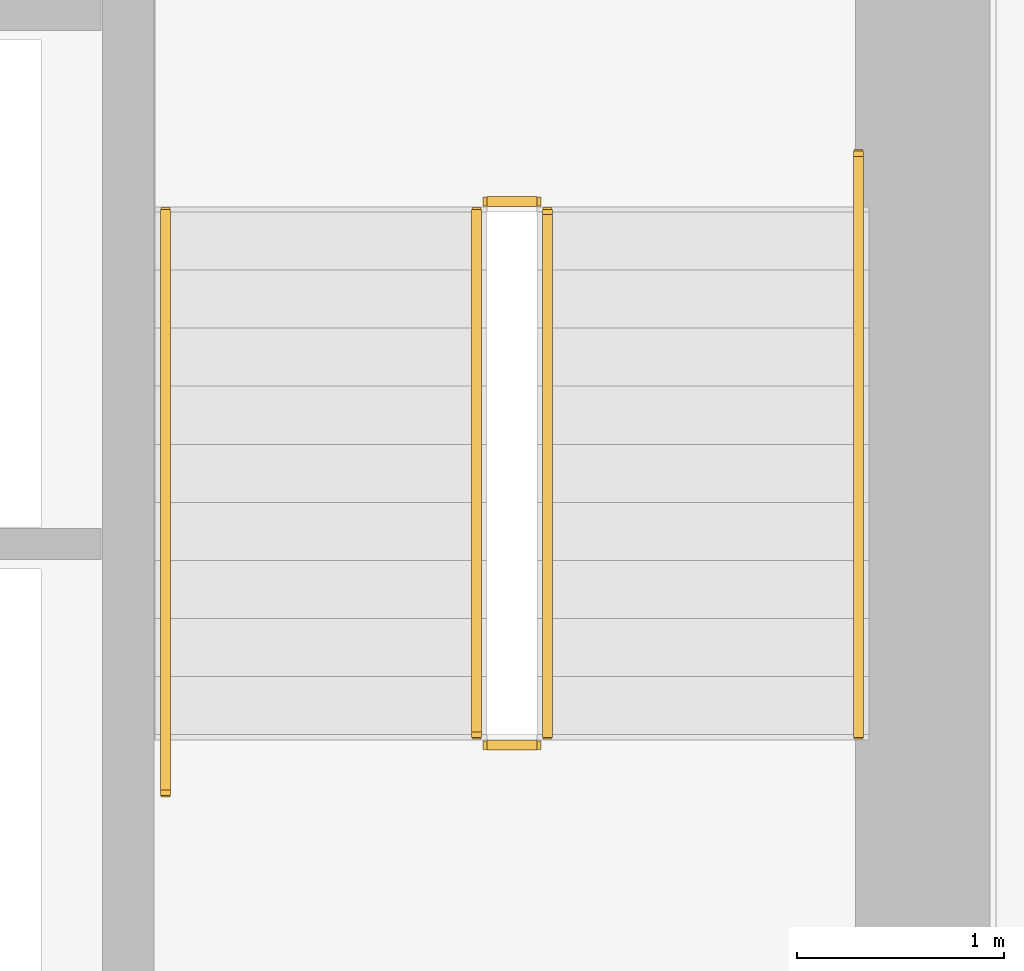
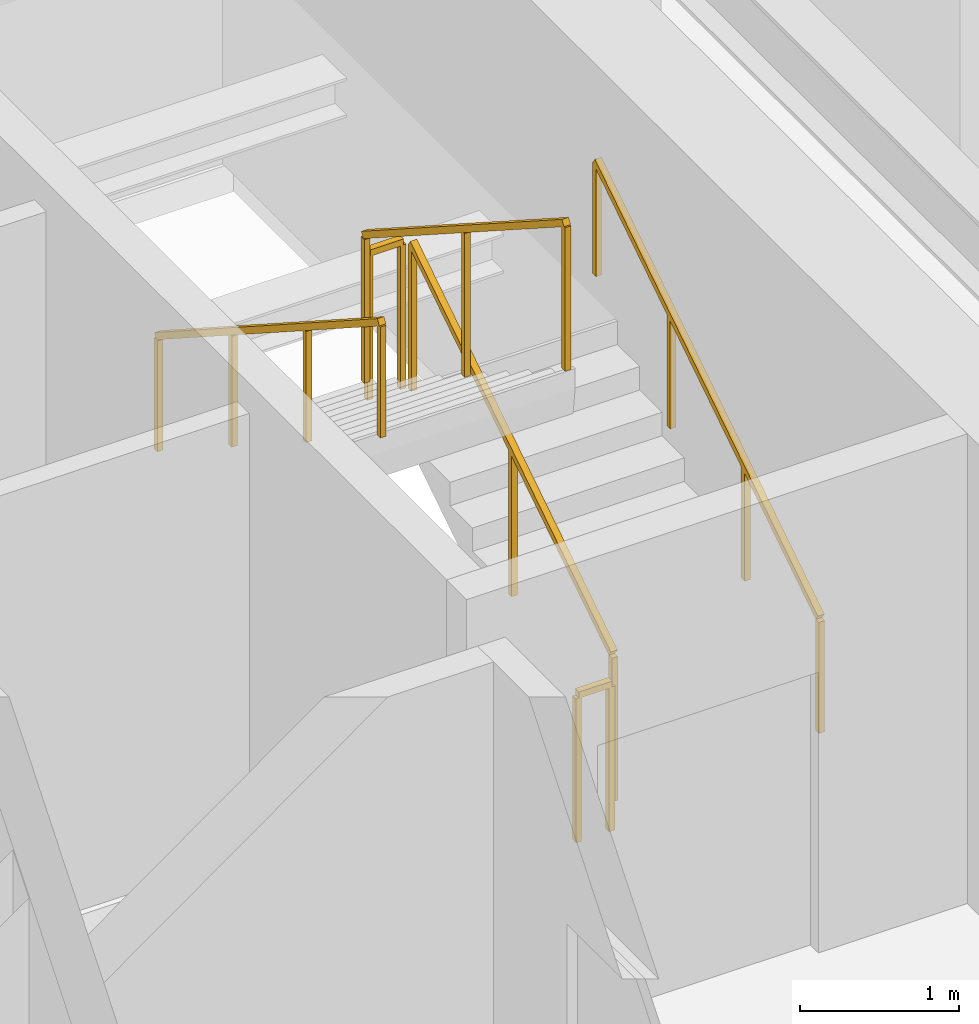
# One storey, part 27 of 28: 6 railings.
"""IFC4 building model written with IfcOpenShell, lengths in metres."""

from ifc_helpers import new_model, si_unit, direction, frame, origin, origin_2d, place, context, subcontext, project, spatial, rectangle, extrude, material, type_object, element, save


model = new_model("IFC4")

# Units and contexts
model_context = context("Model", 3, precision=1e-05, world=origin(), true_north=direction((0.0, 1.0)))
body_context = subcontext(model_context, "Body", "Model", "MODEL_VIEW")
ifc_project = project(units=[si_unit("LENGTHUNIT", "METRE"), si_unit("AREAUNIT", "SQUARE_METRE"), si_unit("VOLUMEUNIT", "CUBIC_METRE"), si_unit("PLANEANGLEUNIT", "RADIAN"), si_unit("MASSUNIT", "GRAM", prefix="KILO")], contexts=[model_context])

# Site, building, storey
site_placement = place(None, origin())
site = spatial("IfcSite", under=ifc_project, at=site_placement, CompositionType="ELEMENT")
building_placement = place(site_placement, origin())
building = spatial("IfcBuilding", under=site, at=building_placement, Name="Sumidabori Civic Tower", CompositionType="ELEMENT")
storey_placement = place(building_placement, frame((0.0, 0.0, 171.199951171875)))
storey = spatial("IfcBuildingStorey", under=building, at=storey_placement, Name="L44", CompositionType="ELEMENT", Elevation=171.199951171875)

# Railings
ifc_material_1 = material(Name="Stainless Steel Hairline Finish", Category="steel")
railing_type_1 = type_object("IfcRailingType", Name="RL-HANDRAIL", PredefinedType="HANDRAIL", material=ifc_material_1)
railing_1_placement = place(storey_placement, frame((15.2900390625, 16.0, 0.179931640625)))
element("IfcRailing", 1, at=railing_1_placement, inside=storey, type_object=railing_type_1, Name="L44 ST-2 stair handrail 1", PredefinedType="HANDRAIL", context=body_context, shape_type="SweptSolid", body=[
    extrude(rectangle(XDim=0.048095703125, YDim=0.048095703125, at=origin_2d()), frame((0.0, 0.0, 0.8759765625), z_axis=(0.0, 0.84064222762, 0.54159084662), x_axis=(-1.0, 0.0, 0.0)), (0.0, 0.0, 1.0), 3.330810546875),
    extrude(rectangle(XDim=0.0419921875, YDim=0.0419921875, at=origin_2d()), origin(), (0.0, 0.0, 1.0), 0.851806640625),
    extrude(rectangle(XDim=0.0419921875, YDim=0.0419921875, at=origin_2d()), frame((0.0, 0.933349609375, 0.601318359375)), (0.0, 0.0, 1.0), 0.851806640625),
    extrude(rectangle(XDim=0.0419921875, YDim=0.0419921875, at=origin_2d()), frame((0.0, 1.86669921875, 1.20263671875)), (0.0, 0.0, 1.0), 0.851806640625),
    extrude(rectangle(XDim=0.0419921875, YDim=0.0419921875, at=origin_2d()), frame((0.0, 2.800048828125, 1.803955078125)), (0.0, 0.0, 1.0), 0.851806640625),
])
railing_2_placement = place(storey_placement, frame((11.949951171875, 18.52001953125, 1.97998046875)))
element("IfcRailing", 2, at=railing_2_placement, inside=storey, type_object=railing_type_1, Name="L44 ST-2 stair handrail 2", PredefinedType="HANDRAIL", context=body_context, shape_type="SweptSolid", body=[
    extrude(rectangle(XDim=0.048095703125, YDim=0.048095703125, at=origin_2d()), frame((0.0, 0.0, 0.8759765625), z_axis=(0.0, -0.84064222762, 0.54159084662), x_axis=(1.0, 0.0, 0.0)), (0.0, 0.0, 1.0), 3.330810546875),
    extrude(rectangle(XDim=0.0419921875, YDim=0.0419921875, at=origin_2d()), origin(), (0.0, 0.0, 1.0), 0.851806640625),
    extrude(rectangle(XDim=0.0419921875, YDim=0.0419921875, at=origin_2d()), frame((0.0, -0.933349609375, 0.601318359375)), (0.0, 0.0, 1.0), 0.851806640625),
    extrude(rectangle(XDim=0.0419921875, YDim=0.0419921875, at=origin_2d()), frame((0.0, -1.86669921875, 1.20263671875)), (0.0, 0.0, 1.0), 0.851806640625),
    extrude(rectangle(XDim=0.0419921875, YDim=0.0419921875, at=origin_2d()), frame((0.0, -2.800048828125, 1.803955078125)), (0.0, 0.0, 1.0), 0.851806640625),
])
ifc_material_2 = material(Name="Steel SN490", Category="steel")
railing_type_2 = type_object("IfcRailingType", Name="RL-STAIR-GUARD", PredefinedType="GUARDRAIL", material=ifc_material_2)
railing_3_placement = place(storey_placement, frame((13.7900390625, 16.0, 0.179931640625)))
element("IfcRailing", 3, at=railing_3_placement, inside=storey, type_object=railing_type_2, Name="L44 ST-2 stair guard 1", PredefinedType="GUARDRAIL", context=body_context, shape_type="SweptSolid", body=[
    extrude(rectangle(XDim=0.048095703125, YDim=0.048095703125, at=origin_2d()), frame((0.0, 0.0, 1.1259765625), z_axis=(0.0, 0.841162588446, 0.540782303519), x_axis=(-1.0, 0.0, 0.0)), (0.0, 0.0, 1.0), 2.995849609375),
    extrude(rectangle(XDim=0.0419921875, YDim=0.0419921875, at=origin_2d()), origin(), (0.0, 0.0, 1.0), 1.101806640625),
    extrude(rectangle(XDim=0.0419921875, YDim=0.0419921875, at=origin_2d()), frame((0.0, 1.260009765625, 0.81005859375)), (0.0, 0.0, 1.0), 1.101806640625),
    extrude(rectangle(XDim=0.0419921875, YDim=0.0419921875, at=origin_2d()), frame((0.0, 2.52001953125, 1.6201171875)), (0.0, 0.0, 1.0), 1.101806640625),
])
railing_4_placement = place(storey_placement, frame((13.739990234375, 18.570068359375, 1.800048828125)))
element("IfcRailing", 4, at=railing_4_placement, inside=storey, type_object=railing_type_2, Name="L44 ST-2 stair guard 2", PredefinedType="GUARDRAIL", context=body_context, shape_type="SweptSolid", body=[
    extrude(rectangle(XDim=0.048095703125, YDim=0.048095703125, at=origin_2d()), frame((0.0, 0.0, 1.1259765625), z_axis=(-1.0, 0.0, 0.0), x_axis=(0.0, -1.0, 0.0)), (0.0, 0.0, 1.0), 0.239990234375),
    extrude(rectangle(XDim=0.0419921875, YDim=0.0419921875, at=origin_2d()), origin(), (0.0, 0.0, 1.0), 1.101806640625),
    extrude(rectangle(XDim=0.0419921875, YDim=0.0419921875, at=origin_2d()), frame((-0.239990234375, 0.0, 0.0)), (0.0, 0.0, 1.0), 1.101806640625),
])
railing_5_placement = place(storey_placement, frame((13.449951171875, 18.52001953125, 1.97998046875)))
element("IfcRailing", 5, at=railing_5_placement, inside=storey, type_object=railing_type_2, Name="L44 ST-2 stair guard 3", PredefinedType="GUARDRAIL", context=body_context, shape_type="SweptSolid", body=[
    extrude(rectangle(XDim=0.048095703125, YDim=0.048095703125, at=origin_2d()), frame((0.0, 0.0, 1.1259765625), z_axis=(0.0, -0.841162588446, 0.540782303519), x_axis=(1.0, 0.0, 0.0)), (0.0, 0.0, 1.0), 2.995849609375),
    extrude(rectangle(XDim=0.0419921875, YDim=0.0419921875, at=origin_2d()), origin(), (0.0, 0.0, 1.0), 1.101806640625),
    extrude(rectangle(XDim=0.0419921875, YDim=0.0419921875, at=origin_2d()), frame((0.0, -1.260009765625, 0.81005859375)), (0.0, 0.0, 1.0), 1.101806640625),
    extrude(rectangle(XDim=0.0419921875, YDim=0.0419921875, at=origin_2d()), frame((0.0, -2.52001953125, 1.6201171875)), (0.0, 0.0, 1.0), 1.101806640625),
])
railing_6_placement = place(storey_placement, frame((13.739990234375, 15.949951171875, 0.0)))
element("IfcRailing", 6, at=railing_6_placement, inside=storey, type_object=railing_type_2, Name="L44 ST-2 stair guard 4", PredefinedType="GUARDRAIL", context=body_context, shape_type="SweptSolid", body=[
    extrude(rectangle(XDim=0.048095703125, YDim=0.048095703125, at=origin_2d()), frame((0.0, 0.0, 1.1259765625), z_axis=(-1.0, 0.0, 0.0), x_axis=(0.0, -1.0, 0.0)), (0.0, 0.0, 1.0), 0.239990234375),
    extrude(rectangle(XDim=0.0419921875, YDim=0.0419921875, at=origin_2d()), origin(), (0.0, 0.0, 1.0), 1.101806640625),
    extrude(rectangle(XDim=0.0419921875, YDim=0.0419921875, at=origin_2d()), frame((-0.239990234375, 0.0, 0.0)), (0.0, 0.0, 1.0), 1.101806640625),
])

save(model, "model.ifc")
